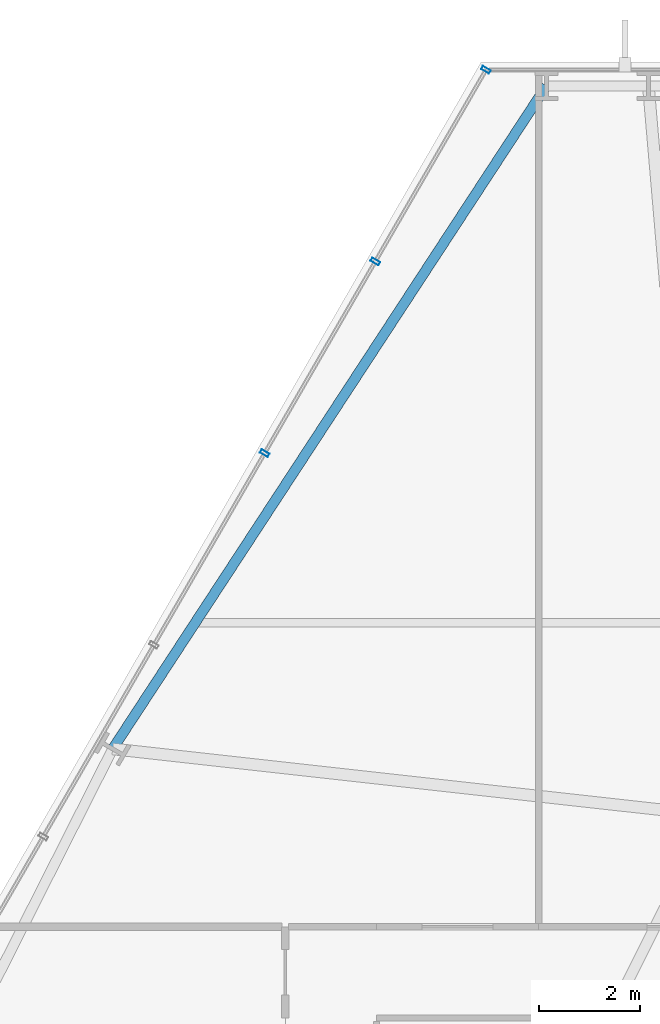
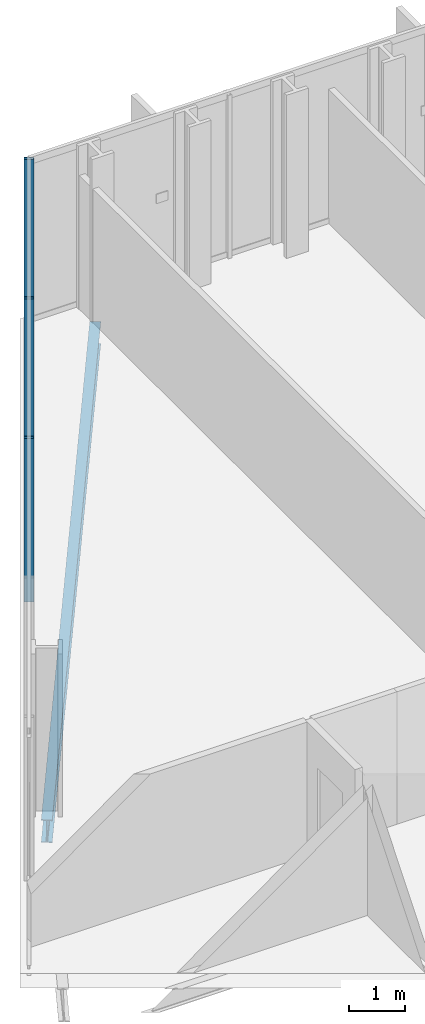
# One storey, part 20 of 33: 3 members, 1 beam, 1 element without a shape of its own.
"""IFC4 building model written with IfcOpenShell, lengths in metres."""

from ifc_helpers import new_model, si_unit, direction, frame, origin, origin_2d, place, context, subcontext, project, spatial, hollow_rectangle, i_section, extrude, material, layer, layer_set, material_profile, profile_set, type_object, element, aggregate, save


model = new_model("IFC4")

# Units and contexts
model_context = context("Model", 3, precision=1e-05, world=origin(), true_north=direction((0.0, 1.0)))
body_context = subcontext(model_context, "Body", "Model", "MODEL_VIEW")
ifc_project = project(units=[si_unit("LENGTHUNIT", "METRE"), si_unit("AREAUNIT", "SQUARE_METRE"), si_unit("VOLUMEUNIT", "CUBIC_METRE"), si_unit("PLANEANGLEUNIT", "RADIAN"), si_unit("MASSUNIT", "GRAM", prefix="KILO")], contexts=[model_context])

# Site, building, storey
site_placement = place(None, origin())
site = spatial("IfcSite", under=ifc_project, at=site_placement, CompositionType="ELEMENT")
building_placement = place(site_placement, origin())
building = spatial("IfcBuilding", under=site, at=building_placement, Name="Ndaravel Arena Tower", CompositionType="ELEMENT")
storey_placement = place(building_placement, frame((0.0, 0.0, 36.0)))
storey = spatial("IfcBuildingStorey", under=building, at=storey_placement, Name="L06", CompositionType="ELEMENT", Elevation=36.0)

# Beam
ifc_material_1 = material(Name="Steel S355", Category="steel")
ifc_material_profile_1 = material_profile(ifc_material_1, i_section(OverallWidth=0.199951171875, OverallDepth=0.5, WebThickness=0.01025390625, FlangeThickness=0.01611328125, FilletRadius=0.02099609375, at=origin_2d()), Name="IPE 500")
ifc_profile_set_1 = profile_set([ifc_material_profile_1], Name="Steel S355")
beam_type = type_object("IfcBeamType", Name="BM-SPAN-IPE500", PredefinedType="SPANDREL", material=ifc_profile_set_1)
beam_placement = place(storey_placement, frame((34.95263671875, 45.590087890625, -0.469970703125), z_axis=(-0.547517816718, -0.83679402506, 0.0), x_axis=(0.83679402506, -0.547517816718, 0.0)))
element("IfcBeam", 1, at=beam_placement, inside=storey, type_object=beam_type, Name="L06 Perimeter Spandrel Beam SP-18", PredefinedType="SPANDREL", context=body_context, shape_type="SweptSolid", body=[
    extrude(i_section(OverallWidth=0.199951171875, OverallDepth=0.5, WebThickness=0.01025390625, FlangeThickness=0.01611328125, FilletRadius=0.02099609375, at=origin_2d()), origin(), (0.0, 0.0, 1.0), 15.631103515625),
])

# Curtain wall, members
ifc_material_2 = material(Name="Aluminium", Category="aluminium")
ifc_layer = layer(ifc_material_2, 0.179931640625)
ifc_layer_set = layer_set([ifc_layer], Name="Aluminium")
curtain_wall_type = type_object("IfcCurtainWallType", Name="CW-SYS-03", PredefinedType="NOTDEFINED", material=ifc_layer_set)
curtain_wall_placement = place(storey_placement, origin())
curtain_wall = element("IfcCurtainWall", 2, at=curtain_wall_placement, inside=storey, type_object=curtain_wall_type, Name="L06 Faceted Crystal Curtain Wall CW-L06-E05", PredefinedType="NOTDEFINED")
ifc_material_3 = material(Name="Aluminium", Category="aluminium")
ifc_material_profile_2 = material_profile(ifc_material_3, hollow_rectangle(XDim=0.074951171875, YDim=0.179931640625, WallThickness=0.00390625, at=origin_2d()), Name="CW MULLION 75x180x4")
ifc_profile_set_2 = profile_set([ifc_material_profile_2], Name="Aluminium")
member_type = type_object("IfcMemberType", Name="MEM-CW-MUL180", PredefinedType="MULLION", material=ifc_profile_set_2)
member_1_placement = place(storey_placement, frame((33.76123046875, 45.909912109375, 0.0), z_axis=(0.0, 0.0, 1.0), x_axis=(-0.5, -0.866025403784, 0.0)))
member_1 = element("IfcMember", 3, at=member_1_placement, type_object=member_type, Name="CW-L06-E05 Mullion 00", PredefinedType="MULLION", context=body_context, shape_type="SweptSolid", body=[
    extrude(hollow_rectangle(XDim=0.074951171875, YDim=0.179931640625, WallThickness=0.00390625, at=origin_2d()), origin(), (0.0, 0.0, 1.0), 3.580078125),
])
member_2_placement = place(storey_placement, frame((31.5771484375, 42.127197265625, 0.0), z_axis=(0.0, 0.0, 1.0), x_axis=(-0.5, -0.866025403784, 0.0)))
member_2 = element("IfcMember", 4, at=member_2_placement, type_object=member_type, Name="CW-L06-E05 Mullion 01", PredefinedType="MULLION", context=body_context, shape_type="SweptSolid", body=[
    extrude(hollow_rectangle(XDim=0.074951171875, YDim=0.179931640625, WallThickness=0.00390625, at=origin_2d()), origin(), (0.0, 0.0, 1.0), 3.580078125),
])
member_3_placement = place(storey_placement, frame((29.39306640625, 38.34423828125, 0.0), z_axis=(0.0, 0.0, 1.0), x_axis=(-0.5, -0.866025403784, 0.0)))
member_3 = element("IfcMember", 5, at=member_3_placement, type_object=member_type, Name="CW-L06-E05 Mullion 02", PredefinedType="MULLION", context=body_context, shape_type="SweptSolid", body=[
    extrude(hollow_rectangle(XDim=0.074951171875, YDim=0.179931640625, WallThickness=0.00390625, at=origin_2d()), origin(), (0.0, 0.0, 1.0), 3.580078125),
])
aggregate(curtain_wall, [member_1, member_2, member_3])

save(model, "model.ifc")
